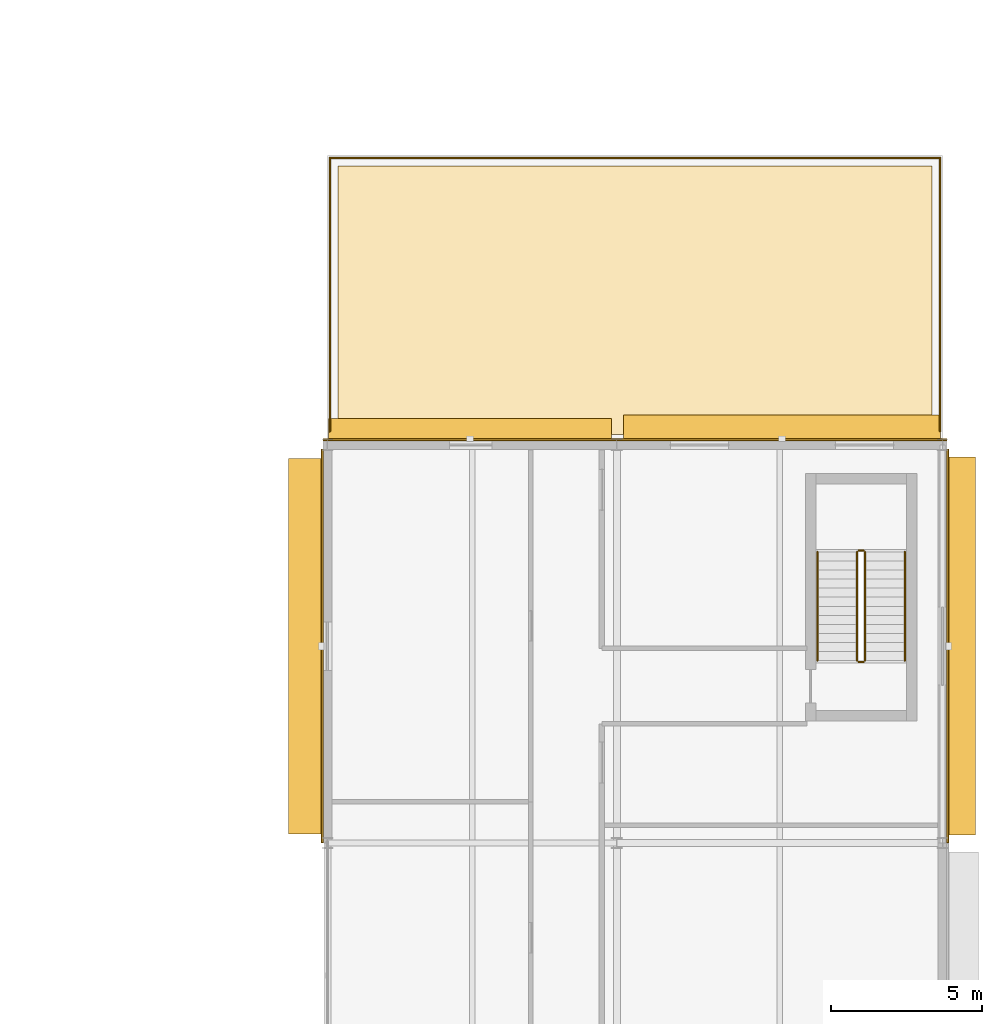
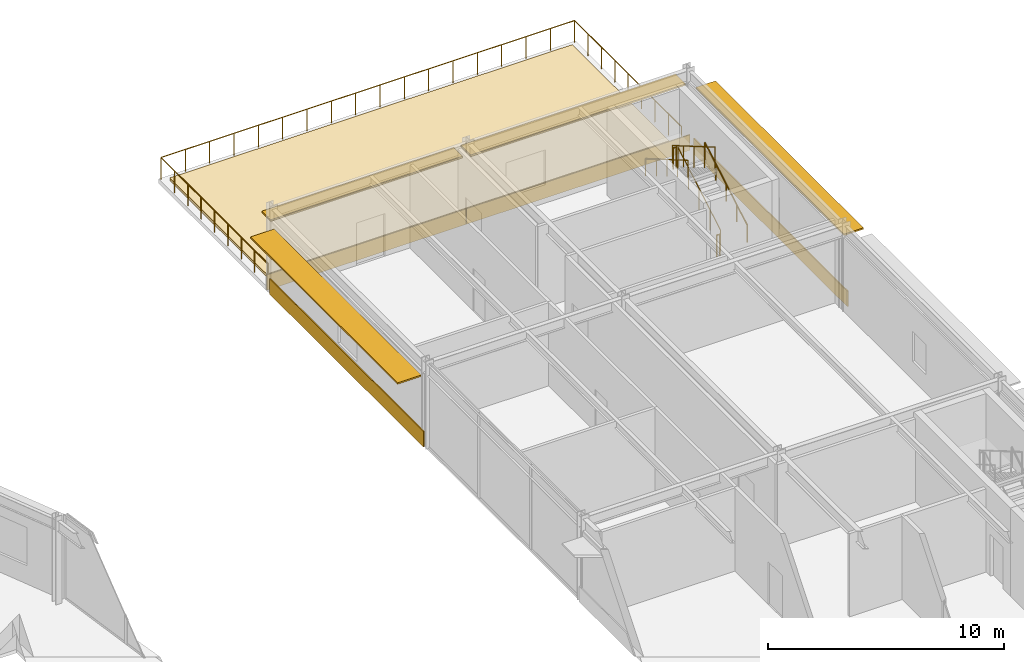
# One storey, part 89 of 89: 9 railings, 5 coverings, 4 shading devices.
"""IFC4 building model written with IfcOpenShell, lengths in metres."""

from ifc_helpers import new_model, si_unit, direction, frame, origin, origin_2d, place, context, subcontext, project, spatial, polyline, rectangle, circle, outline, extrude, material, layer, layer_set, type_object, element, save


model = new_model("IFC4")

# Units and contexts
model_context = context("Model", 3, precision=1e-05, world=origin(), true_north=direction((0.0, 1.0)))
body_context = subcontext(model_context, "Body", "Model", "MODEL_VIEW")
ifc_project = project(units=[si_unit("LENGTHUNIT", "METRE"), si_unit("AREAUNIT", "SQUARE_METRE"), si_unit("VOLUMEUNIT", "CUBIC_METRE"), si_unit("PLANEANGLEUNIT", "RADIAN"), si_unit("MASSUNIT", "GRAM", prefix="KILO")], contexts=[model_context])

# Site, building, storey
site_placement = place(None, origin())
site = spatial("IfcSite", under=ifc_project, at=site_placement, CompositionType="ELEMENT")
building_placement = place(site_placement, origin())
building = spatial("IfcBuilding", under=site, at=building_placement, Name="Almandine Court Research Institute", CompositionType="ELEMENT")
storey_placement = place(building_placement, frame((0.0, 0.0, 18.89990234375)))
storey = spatial("IfcBuildingStorey", under=building, at=storey_placement, Name="L04", CompositionType="ELEMENT", Elevation=18.89990234375)

# Coverings
ifc_material_1 = material(Name="Extruded Cream-Ochre Seismic Terracotta Spandrel", Category="masonry")
ifc_layer_1 = layer(ifc_material_1, 0.054931640625)
ifc_layer_set_1 = layer_set([ifc_layer_1], Name="Extruded Cream-Ochre Seismic Terracotta Spandrel")
covering_type_1 = type_object("IfcCoveringType", Name="Cov-CLAD-TERR", PredefinedType="CLADDING", material=ifc_layer_set_1)
covering_1_placement = place(storey_placement, frame((153.428955078125, 77.327880859375, 0.02001953125), z_axis=(0.0, 0.0, 1.0), x_axis=(0.0, 1.0, 0.0)))
element("IfcCovering", 1, at=covering_1_placement, inside=storey, type_object=covering_type_1, Name="L04 Facade Spandrel Cladding Band 174", PredefinedType="CLADDING", context=body_context, shape_type="SweptSolid", body=[
    extrude(rectangle(XDim=13.047119140625, YDim=0.054931640625, at=origin_2d()), origin(), (0.0, 0.0, 1.0), 0.800048828125),
])
covering_2_placement = place(storey_placement, frame((158.325927734375, 84.1708984375, 0.02001953125), z_axis=(0.0, 0.0, 1.0), x_axis=(1.0, 0.0, 0.0)))
element("IfcCovering", 2, at=covering_2_placement, inside=storey, type_object=covering_type_1, Name="L04 Facade Spandrel Cladding Band 175", PredefinedType="CLADDING", context=body_context, shape_type="SweptSolid", body=[
    extrude(rectangle(XDim=9.740966796875, YDim=0.054931640625, at=origin_2d()), origin(), (0.0, 0.0, 1.0), 0.800048828125),
])
covering_3_placement = place(storey_placement, frame((168.675048828125, 84.1708984375, 0.02001953125), z_axis=(0.0, 0.0, 1.0), x_axis=(1.0, 0.0, 0.0)))
element("IfcCovering", 3, at=covering_3_placement, inside=storey, type_object=covering_type_1, Name="L04 Facade Spandrel Cladding Band 176", PredefinedType="CLADDING", context=body_context, shape_type="SweptSolid", body=[
    extrude(rectangle(XDim=10.94091796875, YDim=0.054931640625, at=origin_2d()), origin(), (0.0, 0.0, 1.0), 0.800048828125),
])
covering_4_placement = place(storey_placement, frame((174.1708984375, 77.327880859375, 0.02001953125), z_axis=(0.0, 0.0, 1.0), x_axis=(0.0, -1.0, 0.0)))
element("IfcCovering", 4, at=covering_4_placement, inside=storey, type_object=covering_type_1, Name="L04 Facade Spandrel Cladding Band 177", PredefinedType="CLADDING", context=body_context, shape_type="SweptSolid", body=[
    extrude(rectangle(XDim=13.047119140625, YDim=0.054931640625, at=origin_2d()), origin(), (0.0, 0.0, 1.0), 0.800048828125),
])
ifc_material_2 = material(Name="Extensive Andean Sedum Planted Green Roof Build-Up")
ifc_layer_2 = layer(ifc_material_2, 0.139892578125)
ifc_layer_set_2 = layer_set([ifc_layer_2], Name="Extensive Andean Sedum Planted Green Roof Build-Up")
covering_type_2 = type_object("IfcCoveringType", Name="Cov-ROOF-GREEN", PredefinedType="ROOFING", material=ifc_layer_set_2)
covering_5_placement = place(storey_placement, origin())
element("IfcCovering", 5, at=covering_5_placement, inside=storey, type_object=covering_type_2, Name="L04 Planted Green Roof Covering 06", PredefinedType="ROOFING", context=body_context, shape_type="SweptSolid", body=[
    extrude(outline(polyline([(153.949951171875, 84.35009765625), (153.949951171875, 93.25), (173.64990234375, 93.25), (173.64990234375, 84.35009765625), (153.949951171875, 84.35009765625)])), origin(), (0.0, 0.0, 1.0), 0.14013671875),
])

# Railings
ifc_material_3 = material(Name="Architectural Powder-Coated Aluminium Balustrade", Category="aluminium")
railing_type_1 = type_object("IfcRailingType", Name="Rail-BAL-EXT", PredefinedType="BALUSTRADE", material=ifc_material_3)
railing_1_placement = place(storey_placement, frame((153.679931640625, 84.449951171875, 0.0)))
element("IfcRailing", 6, at=railing_1_placement, inside=storey, type_object=railing_type_1, Name="L04 Terrace Perimeter Balustrade 015", PredefinedType="BALUSTRADE", context=body_context, shape_type="SweptSolid", body=[
    extrude(circle(Radius=0.02392578125, at=origin_2d()), frame((0.0, 0.0, 1.1259765625), z_axis=(0.0, 1.0, 0.0), x_axis=(-1.0, 0.0, 0.0)), (0.0, 0.0, 1.0), 9.070068359375),
    extrude(circle(Radius=0.02099609375, at=origin_2d()), origin(), (0.0, 0.0, 1.0), 1.101806640625),
    extrude(circle(Radius=0.02099609375, at=origin_2d()), frame((0.0, 1.1337890625, 0.0)), (0.0, 0.0, 1.0), 1.101806640625),
    extrude(circle(Radius=0.02099609375, at=origin_2d()), frame((0.0, 2.267578125, 0.0)), (0.0, 0.0, 1.0), 1.101806640625),
    extrude(circle(Radius=0.02099609375, at=origin_2d()), frame((0.0, 3.4013671875, 0.0)), (0.0, 0.0, 1.0), 1.101806640625),
    extrude(circle(Radius=0.02099609375, at=origin_2d()), frame((0.0, 4.53515625, 0.0)), (0.0, 0.0, 1.0), 1.101806640625),
    extrude(circle(Radius=0.02099609375, at=origin_2d()), frame((0.0, 5.668701171875, 0.0)), (0.0, 0.0, 1.0), 1.101806640625),
    extrude(circle(Radius=0.02099609375, at=origin_2d()), frame((0.0, 6.802490234375, 0.0)), (0.0, 0.0, 1.0), 1.101806640625),
    extrude(circle(Radius=0.02099609375, at=origin_2d()), frame((0.0, 7.936279296875, 0.0)), (0.0, 0.0, 1.0), 1.101806640625),
    extrude(circle(Radius=0.02099609375, at=origin_2d()), frame((0.0, 9.070068359375, 0.0)), (0.0, 0.0, 1.0), 1.101806640625),
])
railing_2_placement = place(storey_placement, frame((153.679931640625, 93.52001953125, 0.0)))
element("IfcRailing", 7, at=railing_2_placement, inside=storey, type_object=railing_type_1, Name="L04 Terrace Perimeter Balustrade 016", PredefinedType="BALUSTRADE", context=body_context, shape_type="SweptSolid", body=[
    extrude(circle(Radius=0.02392578125, at=origin_2d()), frame((0.0, 0.0, 1.1259765625), z_axis=(1.0, 0.0, 0.0), x_axis=(0.0, 1.0, 0.0)), (0.0, 0.0, 1.0), 20.239990234375),
    extrude(circle(Radius=0.02099609375, at=origin_2d()), origin(), (0.0, 0.0, 1.0), 1.101806640625),
    extrude(circle(Radius=0.02099609375, at=origin_2d()), frame((1.190673828125, 0.0, 0.0)), (0.0, 0.0, 1.0), 1.101806640625),
    extrude(circle(Radius=0.02099609375, at=origin_2d()), frame((2.381103515625, 0.0, 0.0)), (0.0, 0.0, 1.0), 1.101806640625),
    extrude(circle(Radius=0.02099609375, at=origin_2d()), frame((3.57177734375, 0.0, 0.0)), (0.0, 0.0, 1.0), 1.101806640625),
    extrude(circle(Radius=0.02099609375, at=origin_2d()), frame((4.762451171875, 0.0, 0.0)), (0.0, 0.0, 1.0), 1.101806640625),
    extrude(circle(Radius=0.02099609375, at=origin_2d()), frame((5.952880859375, 0.0, 0.0)), (0.0, 0.0, 1.0), 1.101806640625),
    extrude(circle(Radius=0.02099609375, at=origin_2d()), frame((7.1435546875, 0.0, 0.0)), (0.0, 0.0, 1.0), 1.101806640625),
    extrude(circle(Radius=0.02099609375, at=origin_2d()), frame((8.334228515625, 0.0, 0.0)), (0.0, 0.0, 1.0), 1.101806640625),
    extrude(circle(Radius=0.02099609375, at=origin_2d()), frame((9.524658203125, 0.0, 0.0)), (0.0, 0.0, 1.0), 1.101806640625),
    extrude(circle(Radius=0.02099609375, at=origin_2d()), frame((10.71533203125, 0.0, 0.0)), (0.0, 0.0, 1.0), 1.101806640625),
    extrude(circle(Radius=0.02099609375, at=origin_2d()), frame((11.90576171875, 0.0, 0.0)), (0.0, 0.0, 1.0), 1.101806640625),
    extrude(circle(Radius=0.02099609375, at=origin_2d()), frame((13.096435546875, 0.0, 0.0)), (0.0, 0.0, 1.0), 1.101806640625),
    extrude(circle(Radius=0.02099609375, at=origin_2d()), frame((14.287109375, 0.0, 0.0)), (0.0, 0.0, 1.0), 1.101806640625),
    extrude(circle(Radius=0.02099609375, at=origin_2d()), frame((15.4775390625, 0.0, 0.0)), (0.0, 0.0, 1.0), 1.101806640625),
    extrude(circle(Radius=0.02099609375, at=origin_2d()), frame((16.668212890625, 0.0, 0.0)), (0.0, 0.0, 1.0), 1.101806640625),
    extrude(circle(Radius=0.02099609375, at=origin_2d()), frame((17.85888671875, 0.0, 0.0)), (0.0, 0.0, 1.0), 1.101806640625),
    extrude(circle(Radius=0.02099609375, at=origin_2d()), frame((19.04931640625, 0.0, 0.0)), (0.0, 0.0, 1.0), 1.101806640625),
    extrude(circle(Radius=0.02099609375, at=origin_2d()), frame((20.239990234375, 0.0, 0.0)), (0.0, 0.0, 1.0), 1.101806640625),
])
railing_3_placement = place(storey_placement, frame((173.919921875, 93.52001953125, 0.0)))
element("IfcRailing", 8, at=railing_3_placement, inside=storey, type_object=railing_type_1, Name="L04 Terrace Perimeter Balustrade 017", PredefinedType="BALUSTRADE", context=body_context, shape_type="SweptSolid", body=[
    extrude(circle(Radius=0.02392578125, at=origin_2d()), frame((0.0, 0.0, 1.1259765625), z_axis=(0.0, -1.0, 0.0), x_axis=(1.0, 0.0, 0.0)), (0.0, 0.0, 1.0), 9.070068359375),
    extrude(circle(Radius=0.02099609375, at=origin_2d()), origin(), (0.0, 0.0, 1.0), 1.101806640625),
    extrude(circle(Radius=0.02099609375, at=origin_2d()), frame((0.0, -1.1337890625, 0.0)), (0.0, 0.0, 1.0), 1.101806640625),
    extrude(circle(Radius=0.02099609375, at=origin_2d()), frame((0.0, -2.267578125, 0.0)), (0.0, 0.0, 1.0), 1.101806640625),
    extrude(circle(Radius=0.02099609375, at=origin_2d()), frame((0.0, -3.4013671875, 0.0)), (0.0, 0.0, 1.0), 1.101806640625),
    extrude(circle(Radius=0.02099609375, at=origin_2d()), frame((0.0, -4.53515625, 0.0)), (0.0, 0.0, 1.0), 1.101806640625),
    extrude(circle(Radius=0.02099609375, at=origin_2d()), frame((0.0, -5.668701171875, 0.0)), (0.0, 0.0, 1.0), 1.101806640625),
    extrude(circle(Radius=0.02099609375, at=origin_2d()), frame((0.0, -6.802490234375, 0.0)), (0.0, 0.0, 1.0), 1.101806640625),
    extrude(circle(Radius=0.02099609375, at=origin_2d()), frame((0.0, -7.936279296875, 0.0)), (0.0, 0.0, 1.0), 1.101806640625),
    extrude(circle(Radius=0.02099609375, at=origin_2d()), frame((0.0, -9.070068359375, 0.0)), (0.0, 0.0, 1.0), 1.101806640625),
])
ifc_material_4 = material(Name="Powder-Coated Steel Stair and Atrium Balustrade", Category="steel")
railing_type_2 = type_object("IfcRailingType", Name="Rail-GUARD-INT", PredefinedType="BALUSTRADE", material=ifc_material_4)
railing_4_placement = place(storey_placement, frame((171.429931640625, 76.85009765625, 0.175048828125)))
element("IfcRailing", 9, at=railing_4_placement, inside=storey, type_object=railing_type_2, Name="L04 ST-13 stair guard 1", PredefinedType="BALUSTRADE", context=body_context, shape_type="SweptSolid", body=[
    extrude(circle(Radius=0.02392578125, at=origin_2d()), frame((0.0, 0.0, 1.09619140625), z_axis=(0.0, 0.863759778359, 0.503903805591), x_axis=(-1.0, 0.0, 0.0)), (0.0, 0.0, 1.0), 4.167724609375),
    extrude(circle(Radius=0.02099609375, at=origin_2d()), origin(), (0.0, 0.0, 1.0), 1.072021484375),
    extrude(circle(Radius=0.02099609375, at=origin_2d()), frame((0.0, 0.89990234375, 0.52490234375)), (0.0, 0.0, 1.0), 1.072021484375),
    extrude(circle(Radius=0.02099609375, at=origin_2d()), frame((0.0, 1.7998046875, 1.050048828125)), (0.0, 0.0, 1.0), 1.072021484375),
    extrude(circle(Radius=0.02099609375, at=origin_2d()), frame((0.0, 2.699951171875, 1.5751953125)), (0.0, 0.0, 1.0), 1.072021484375),
    extrude(circle(Radius=0.02099609375, at=origin_2d()), frame((0.0, 3.599853515625, 2.10009765625)), (0.0, 0.0, 1.0), 1.072021484375),
])
railing_5_placement = place(storey_placement, frame((171.3798828125, 80.5, 2.275146484375)))
element("IfcRailing", 10, at=railing_5_placement, inside=storey, type_object=railing_type_2, Name="L04 ST-13 stair guard 2", PredefinedType="BALUSTRADE", context=body_context, shape_type="SweptSolid", body=[
    extrude(circle(Radius=0.02392578125, at=origin_2d()), frame((0.0, 0.0, 1.09619140625), z_axis=(-1.0, 0.0, 0.0), x_axis=(0.0, -1.0, 0.0)), (0.0, 0.0, 1.0), 0.159912109375),
    extrude(circle(Radius=0.02099609375, at=origin_2d()), origin(), (0.0, 0.0, 1.0), 1.072021484375),
    extrude(circle(Radius=0.02099609375, at=origin_2d()), frame((-0.159912109375, 0.0, 0.0)), (0.0, 0.0, 1.0), 1.072021484375),
])
railing_6_placement = place(storey_placement, frame((171.169921875, 80.449951171875, 2.4501953125)))
element("IfcRailing", 11, at=railing_6_placement, inside=storey, type_object=railing_type_2, Name="L04 ST-13 stair guard 3", PredefinedType="BALUSTRADE", context=body_context, shape_type="SweptSolid", body=[
    extrude(circle(Radius=0.02392578125, at=origin_2d()), frame((0.0, 0.0, 1.09619140625), z_axis=(0.0, -0.86378527499, 0.503860098351), x_axis=(1.0, 0.0, 0.0)), (0.0, 0.0, 1.0), 4.16748046875),
    extrude(circle(Radius=0.02099609375, at=origin_2d()), origin(), (0.0, 0.0, 1.0), 1.072021484375),
    extrude(circle(Radius=0.02099609375, at=origin_2d()), frame((0.0, -0.89990234375, 0.52490234375)), (0.0, 0.0, 1.0), 1.072021484375),
    extrude(circle(Radius=0.02099609375, at=origin_2d()), frame((0.0, -1.7998046875, 1.0498046875)), (0.0, 0.0, 1.0), 1.072021484375),
    extrude(circle(Radius=0.02099609375, at=origin_2d()), frame((0.0, -2.699951171875, 1.574951171875)), (0.0, 0.0, 1.0), 1.072021484375),
    extrude(circle(Radius=0.02099609375, at=origin_2d()), frame((0.0, -3.599853515625, 2.099853515625)), (0.0, 0.0, 1.0), 1.072021484375),
])
railing_7_placement = place(storey_placement, frame((171.3798828125, 76.800048828125, 0.0)))
element("IfcRailing", 12, at=railing_7_placement, inside=storey, type_object=railing_type_2, Name="L04 ST-13 stair guard 4", PredefinedType="BALUSTRADE", context=body_context, shape_type="SweptSolid", body=[
    extrude(circle(Radius=0.02392578125, at=origin_2d()), frame((0.0, 0.0, 1.09619140625), z_axis=(-1.0, 0.0, 0.0), x_axis=(0.0, -1.0, 0.0)), (0.0, 0.0, 1.0), 0.159912109375),
    extrude(circle(Radius=0.02099609375, at=origin_2d()), origin(), (0.0, 0.0, 1.0), 1.072021484375),
    extrude(circle(Radius=0.02099609375, at=origin_2d()), frame((-0.159912109375, 0.0, 0.0)), (0.0, 0.0, 1.0), 1.072021484375),
])
ifc_material_5 = material(Name="Brushed Stainless Steel Wall Handrail", Category="steel")
railing_type_3 = type_object("IfcRailingType", Name="Rail-HAND-INT", PredefinedType="HANDRAIL", material=ifc_material_5)
railing_8_placement = place(storey_placement, frame((172.75, 76.85009765625, 0.175048828125)))
element("IfcRailing", 13, at=railing_8_placement, inside=storey, type_object=railing_type_3, Name="L04 ST-13 stair handrail 1", PredefinedType="HANDRAIL", context=body_context, shape_type="SweptSolid", body=[
    extrude(circle(Radius=0.02392578125, at=origin_2d()), frame((0.0, 0.0, 0.8759765625), z_axis=(0.0, 0.863759778359, 0.503903805591), x_axis=(-1.0, 0.0, 0.0)), (0.0, 0.0, 1.0), 4.167724609375),
    extrude(circle(Radius=0.02099609375, at=origin_2d()), origin(), (0.0, 0.0, 1.0), 0.851806640625),
    extrude(circle(Radius=0.02099609375, at=origin_2d()), frame((0.0, 0.89990234375, 0.52490234375)), (0.0, 0.0, 1.0), 0.851806640625),
    extrude(circle(Radius=0.02099609375, at=origin_2d()), frame((0.0, 1.7998046875, 1.050048828125)), (0.0, 0.0, 1.0), 0.851806640625),
    extrude(circle(Radius=0.02099609375, at=origin_2d()), frame((0.0, 2.699951171875, 1.5751953125)), (0.0, 0.0, 1.0), 0.851806640625),
    extrude(circle(Radius=0.02099609375, at=origin_2d()), frame((0.0, 3.599853515625, 2.10009765625)), (0.0, 0.0, 1.0), 0.851806640625),
])
railing_9_placement = place(storey_placement, frame((169.85009765625, 80.449951171875, 2.4501953125)))
element("IfcRailing", 14, at=railing_9_placement, inside=storey, type_object=railing_type_3, Name="L04 ST-13 stair handrail 2", PredefinedType="HANDRAIL", context=body_context, shape_type="SweptSolid", body=[
    extrude(circle(Radius=0.02392578125, at=origin_2d()), frame((0.0, 0.0, 0.8759765625), z_axis=(0.0, -0.86378527499, 0.503860098351), x_axis=(1.0, 0.0, 0.0)), (0.0, 0.0, 1.0), 4.16748046875),
    extrude(circle(Radius=0.02099609375, at=origin_2d()), origin(), (0.0, 0.0, 1.0), 0.851806640625),
    extrude(circle(Radius=0.02099609375, at=origin_2d()), frame((0.0, -0.89990234375, 0.52490234375)), (0.0, 0.0, 1.0), 0.851806640625),
    extrude(circle(Radius=0.02099609375, at=origin_2d()), frame((0.0, -1.7998046875, 1.0498046875)), (0.0, 0.0, 1.0), 0.851806640625),
    extrude(circle(Radius=0.02099609375, at=origin_2d()), frame((0.0, -2.699951171875, 1.574951171875)), (0.0, 0.0, 1.0), 0.851806640625),
    extrude(circle(Radius=0.02099609375, at=origin_2d()), frame((0.0, -3.599853515625, 2.099853515625)), (0.0, 0.0, 1.0), 0.851806640625),
])

# Shading devices
ifc_material_6 = material(Name="Precast GFRC Chhajja Sunshade and Acoustic Louvre", Category="concrete")
ifc_layer_3 = layer(ifc_material_6, 0.080078125)
ifc_layer_set_3 = layer_set([ifc_layer_3], Name="Precast GFRC Chhajja Sunshade and Acoustic Louvre")
shading_device_type_1 = type_object("IfcShadingDeviceType", Name="Shd-SD-64", PredefinedType="AWNING", material=ifc_layer_set_3)
shading_device_1_placement = place(storey_placement, frame((152.889892578125, 77.327880859375, 3.462158203125), z_axis=(0.0, 0.0, 1.0), x_axis=(0.0, 1.0, 0.0)))
element("IfcShadingDevice", 15, at=shading_device_1_placement, inside=storey, type_object=shading_device_type_1, Name="L04 Projecting Chhajja Sunshade 119", PredefinedType="AWNING", context=body_context, shape_type="SweptSolid", body=[
    extrude(rectangle(XDim=12.45703125, YDim=1.14990234375, at=origin_2d()), origin(), (0.0, 0.0, 1.0), 0.080078125),
])
ifc_layer_4 = layer(ifc_material_6, 0.080078125)
ifc_layer_set_4 = layer_set([ifc_layer_4], Name="Precast GFRC Chhajja Sunshade and Acoustic Louvre")
shading_device_type_2 = type_object("IfcShadingDeviceType", Name="Shd-SD-65", PredefinedType="AWNING", material=ifc_layer_set_4)
shading_device_2_placement = place(storey_placement, frame((158.325927734375, 84.510009765625, 3.530029296875), z_axis=(0.0, 0.0, 1.0), x_axis=(1.0, 0.0, 0.0)))
element("IfcShadingDevice", 16, at=shading_device_2_placement, inside=storey, type_object=shading_device_type_2, Name="L04 Projecting Chhajja Sunshade 120", PredefinedType="AWNING", context=body_context, shape_type="SweptSolid", body=[
    extrude(rectangle(XDim=9.39111328125, YDim=0.75, at=origin_2d()), origin(), (0.0, 0.0, 1.0), 0.080078125),
])
ifc_layer_5 = layer(ifc_material_6, 0.080078125)
ifc_layer_set_5 = layer_set([ifc_layer_5], Name="Precast GFRC Chhajja Sunshade and Acoustic Louvre")
shading_device_type_3 = type_object("IfcShadingDeviceType", Name="Shd-SD-66", PredefinedType="AWNING", material=ifc_layer_set_5)
shading_device_3_placement = place(storey_placement, frame((168.675048828125, 84.56005859375, 3.4541015625), z_axis=(0.0, 0.0, 1.0), x_axis=(1.0, 0.0, 0.0)))
element("IfcShadingDevice", 17, at=shading_device_3_placement, inside=storey, type_object=shading_device_type_3, Name="L04 Projecting Chhajja Sunshade 121", PredefinedType="AWNING", context=body_context, shape_type="SweptSolid", body=[
    extrude(rectangle(XDim=10.510986328125, YDim=0.85009765625, at=origin_2d()), origin(), (0.0, 0.0, 1.0), 0.080078125),
])
ifc_layer_6 = layer(ifc_material_6, 0.080078125)
ifc_layer_set_6 = layer_set([ifc_layer_6], Name="Precast GFRC Chhajja Sunshade and Acoustic Louvre")
shading_device_type_4 = type_object("IfcShadingDeviceType", Name="Shd-SD-67", PredefinedType="AWNING", material=ifc_layer_set_6)
shading_device_4_placement = place(storey_placement, frame((174.610107421875, 77.327880859375, 3.5361328125), z_axis=(0.0, 0.0, 1.0), x_axis=(0.0, -1.0, 0.0)))
element("IfcShadingDevice", 18, at=shading_device_4_placement, inside=storey, type_object=shading_device_type_4, Name="L04 Projecting Chhajja Sunshade 122", PredefinedType="AWNING", context=body_context, shape_type="SweptSolid", body=[
    extrude(rectangle(XDim=12.537109375, YDim=0.949951171875, at=origin_2d()), origin(), (0.0, 0.0, 1.0), 0.080078125),
])

save(model, "model.ifc")
